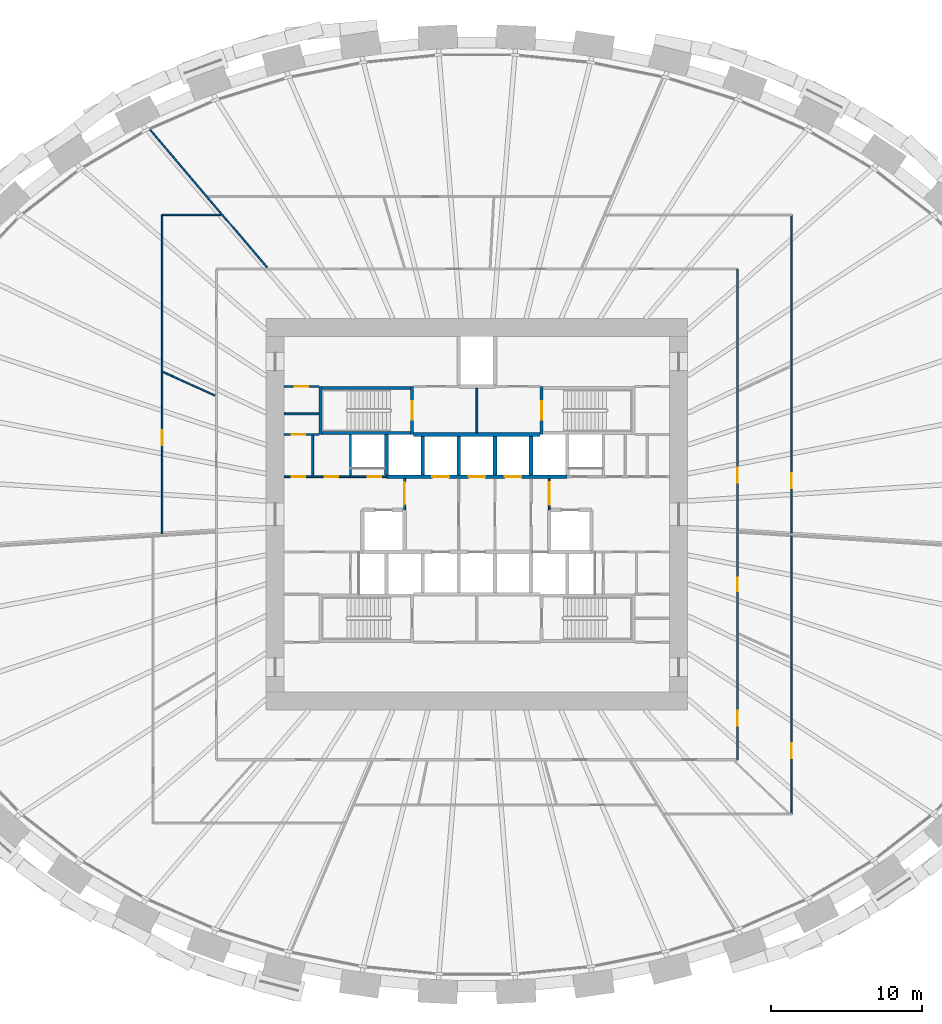
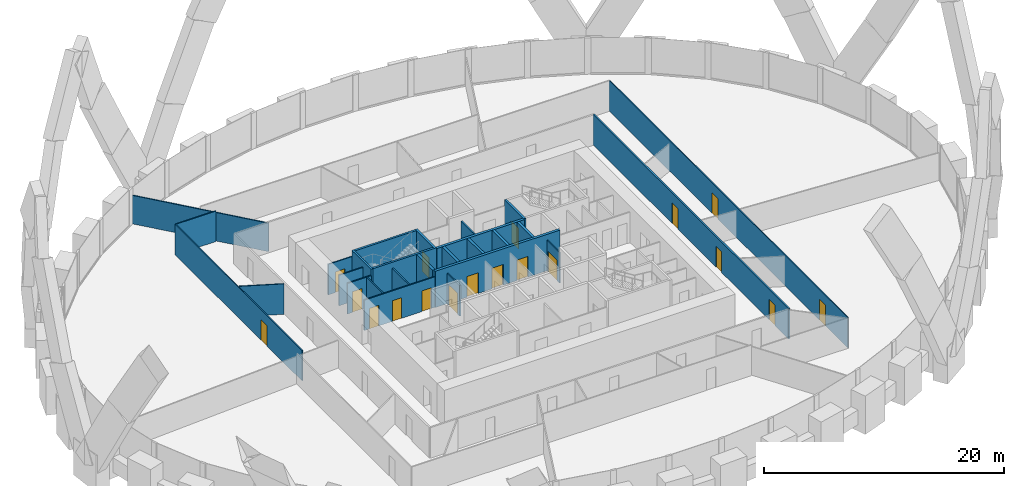
# One storey, part 9 of 12: 27 walls, 18 doors, 18 openings.
"""IFC4 building model written with IfcOpenShell, lengths in metres."""

from ifc_helpers import new_model, si_unit, direction, frame, frame_2d, origin, place, context, subcontext, project, spatial, rectangle, extrude, source, transform, mapped, material, layer, layer_set, type_object, element, fill, save


model = new_model("IFC4")

# Units and contexts
model_context = context("Model", 3, precision=1e-05, world=origin(), true_north=direction((0.0, 1.0)))
body_context = subcontext(model_context, "Body", "Model", "MODEL_VIEW")
ifc_project = project(units=[si_unit("LENGTHUNIT", "METRE"), si_unit("AREAUNIT", "SQUARE_METRE"), si_unit("VOLUMEUNIT", "CUBIC_METRE"), si_unit("PLANEANGLEUNIT", "RADIAN"), si_unit("MASSUNIT", "GRAM", prefix="KILO")], contexts=[model_context])

# Site, building, storey
site_placement = place(None, origin())
site = spatial("IfcSite", under=ifc_project, at=site_placement, CompositionType="ELEMENT")
building_placement = place(site_placement, origin())
building = spatial("IfcBuilding", under=site, at=building_placement, Name="Embergate Tower", CompositionType="ELEMENT")
storey_placement = place(building_placement, frame((0.0, 0.0, 85.39990234375)))
storey = spatial("IfcBuildingStorey", under=building, at=storey_placement, Name="L17", CompositionType="ELEMENT", Elevation=85.39990234375)

# Wall, openings, doors
ifc_material_1 = material(Name="Core partition blockwork 120")
ifc_layer_1 = layer(ifc_material_1, 0.1201171875)
ifc_layer_set_1 = layer_set([ifc_layer_1], Name="Core partition blockwork 120")
wall_type_1 = type_object("IfcWallType", Name="Core partition blockwork 120", PredefinedType="PARTITIONING", material=ifc_layer_set_1)
shared_shape_1 = source(origin(), body_context, "Body", "SweptSolid", [
    extrude(rectangle(XDim=6.800048828125, YDim=0.1201171875, at=frame_2d((3.39990234375, 0.0))), origin(), (0.0, 0.0, 1.0), 3.10009765625),
])
wall_1_placement = place(storey_placement, frame((-12.800048828125, 2.5, 0.0), z_axis=(0.0, 0.0, 1.0), x_axis=(1.0, 0.0, 0.0)))
wall_1 = element("IfcWall", 1, at=wall_1_placement, inside=storey, type_object=wall_type_1, Name="IP-3 wall", PredefinedType="PARTITIONING", context=body_context, shape_type="MappedRepresentation", body=[
    mapped(shared_shape_1, transform((0.0, 0.0, 0.0))),
])
shared_shape_2 = source(origin(), body_context, "Body", "SweptSolid", [
    extrude(rectangle(XDim=0.89990234375, YDim=2.10009765625, at=frame_2d((0.449951171875, 1.050048828125))), frame((0.0, 0.070068359375, 0.0), z_axis=(0.0, -1.0, 0.0), x_axis=(1.0, 0.0, 0.0)), (0.0, 0.0, 1.0), 0.14013671875),
])
opening_1_placement = place(wall_1_placement, frame((5.550048828125, 0.0, 0.0)))
opening_1 = element("IfcOpeningElement", 2, at=opening_1_placement, cuts=wall_1, Name="Opening ID-1", PredefinedType="OPENING", context=body_context, shape_type="MappedRepresentation", body=[
    mapped(shared_shape_2, transform((0.0, 0.0, 0.0))),
])
opening_2_placement = place(wall_1_placement, frame((0.49609375, 0.0, 0.0)))
opening_2 = element("IfcOpeningElement", 3, at=opening_2_placement, cuts=wall_1, Name="Opening ID-1", PredefinedType="OPENING", context=body_context, shape_type="MappedRepresentation", body=[
    mapped(shared_shape_2, transform((0.0, 0.0, 0.0))),
])
opening_3_placement = place(wall_1_placement, frame((2.696044921875, 0.0, 0.0)))
opening_3 = element("IfcOpeningElement", 4, at=opening_3_placement, cuts=wall_1, Name="Opening ID-1", PredefinedType="OPENING", context=body_context, shape_type="MappedRepresentation", body=[
    mapped(shared_shape_2, transform((0.0, 0.0, 0.0))),
])
ifc_material_2 = material(Name="Interior door 900")
door_type_1 = type_object("IfcDoorType", Name="Interior door 900", OperationType="SINGLE_SWING_LEFT", PredefinedType="DOOR", material=ifc_material_2)
shared_shape_3 = source(origin(), body_context, "Body", "SweptSolid", [
    extrude(rectangle(XDim=0.89990234375, YDim=2.10009765625, at=frame_2d((0.449951171875, 1.050048828125))), frame((0.0, 0.02490234375, 0.0), z_axis=(0.0, -1.0, 0.0), x_axis=(1.0, 0.0, 0.0)), (0.0, 0.0, 1.0), 0.050048828125),
])
door_1_placement = place(opening_1_placement, origin())
door_1 = element("IfcDoor", 5, at=door_1_placement, inside=storey, type_object=door_type_1, Name="ID-1 door", OperationType="SINGLE_SWING_LEFT", OverallHeight=2.10009765625, OverallWidth=0.89990234375, PredefinedType="DOOR", context=body_context, shape_type="MappedRepresentation", body=[
    mapped(shared_shape_3, transform((0.0, 0.0, 0.0))),
])
fill(opening_1, door_1)
door_2_placement = place(opening_2_placement, origin())
door_2 = element("IfcDoor", 6, at=door_2_placement, inside=storey, type_object=door_type_1, Name="ID-1 door", OperationType="SINGLE_SWING_RIGHT", OverallHeight=2.10009765625, OverallWidth=0.89990234375, PredefinedType="DOOR", context=body_context, shape_type="MappedRepresentation", body=[
    mapped(shared_shape_3, transform((0.0, 0.0, 0.0))),
])
fill(opening_2, door_2)
door_3_placement = place(opening_3_placement, origin())
door_3 = element("IfcDoor", 7, at=door_3_placement, inside=storey, type_object=door_type_1, Name="ID-1 door", OperationType="SINGLE_SWING_RIGHT", OverallHeight=2.10009765625, OverallWidth=0.89990234375, PredefinedType="DOOR", context=body_context, shape_type="MappedRepresentation", body=[
    mapped(shared_shape_3, transform((0.0, 0.0, 0.0))),
])
fill(opening_3, door_3)

# Wall
shared_shape_4 = source(origin(), body_context, "Body", "SweptSolid", [
    extrude(rectangle(XDim=2.739990234375, YDim=0.1201171875, at=frame_2d((1.3701171875, 0.0))), origin(), (0.0, 0.0, 1.0), 3.10009765625),
])
wall_2_placement = place(storey_placement, frame((-8.39990234375, 5.300048828125, 0.0), z_axis=(0.0, 0.0, 1.0), x_axis=(0.0, -1.0, 0.0)))
element("IfcWall", 8, at=wall_2_placement, inside=storey, type_object=wall_type_1, Name="IP-3 wall", PredefinedType="PARTITIONING", context=body_context, shape_type="MappedRepresentation", body=[
    mapped(shared_shape_4, transform((0.0, 0.0, 0.0))),
])

# Wall, opening, door
shared_shape_5 = source(origin(), body_context, "Body", "SweptSolid", [
    extrude(rectangle(XDim=2.074951171875, YDim=0.1201171875, at=frame_2d((1.03759765625, 0.0))), origin(), (0.0, 0.0, 1.0), 3.10009765625),
])
wall_3_placement = place(storey_placement, frame((-4.800048828125, 2.375, 0.0), z_axis=(0.0, 0.0, 1.0), x_axis=(0.0, -1.0, 0.0)))
wall_3 = element("IfcWall", 9, at=wall_3_placement, inside=storey, type_object=wall_type_1, Name="IP-3 wall", PredefinedType="PARTITIONING", context=body_context, shape_type="MappedRepresentation", body=[
    mapped(shared_shape_5, transform((0.0, 0.0, 0.0))),
])
shared_shape_6 = source(origin(), body_context, "Body", "SweptSolid", [
    extrude(rectangle(XDim=1.5, YDim=2.10009765625, at=frame_2d((0.75, 1.050048828125))), frame((0.0, 0.070068359375, 0.0), z_axis=(0.0, -1.0, 0.0), x_axis=(1.0, 0.0, 0.0)), (0.0, 0.0, 1.0), 0.14013671875),
])
opening_4_placement = place(wall_3_placement, frame((0.22509765625, 0.0, 0.0)))
opening_4 = element("IfcOpeningElement", 10, at=opening_4_placement, cuts=wall_3, Name="Opening IF-3", PredefinedType="OPENING", context=body_context, shape_type="MappedRepresentation", body=[
    mapped(shared_shape_6, transform((0.0, 0.0, 0.0))),
])
ifc_material_3 = material(Name="Lobby fire door pair 1500")
door_type_2 = type_object("IfcDoorType", Name="Lobby fire door pair 1500", OperationType="DOUBLE_DOOR_SINGLE_SWING", PredefinedType="DOOR", material=ifc_material_3)
shared_shape_7 = source(origin(), body_context, "Body", "SweptSolid", [
    extrude(rectangle(XDim=1.5, YDim=2.10009765625, at=frame_2d((0.75, 1.050048828125))), frame((0.0, 0.02490234375, 0.0), z_axis=(0.0, -1.0, 0.0), x_axis=(1.0, 0.0, 0.0)), (0.0, 0.0, 1.0), 0.050048828125),
])
door_4_placement = place(opening_4_placement, origin())
door_4 = element("IfcDoor", 11, at=door_4_placement, inside=storey, type_object=door_type_2, Name="IF-3 door", OperationType="DOUBLE_DOOR_SINGLE_SWING", OverallHeight=2.10009765625, OverallWidth=1.5, PredefinedType="DOOR", context=body_context, shape_type="MappedRepresentation", body=[
    mapped(shared_shape_7, transform((0.0, 0.0, 0.0))),
])
fill(opening_4, door_4)

wall_4_placement = place(storey_placement, frame((4.800048828125, 0.300048828125, 0.0), z_axis=(0.0, 0.0, 1.0), x_axis=(0.0, 1.0, 0.0)))
wall_4 = element("IfcWall", 12, at=wall_4_placement, inside=storey, type_object=wall_type_1, Name="IP-3 wall", PredefinedType="PARTITIONING", context=body_context, shape_type="MappedRepresentation", body=[
    mapped(shared_shape_5, transform((0.0, 0.0, 0.0))),
])
opening_5_placement = place(wall_4_placement, frame((0.35009765625, 0.0, 0.0)))
opening_5 = element("IfcOpeningElement", 13, at=opening_5_placement, cuts=wall_4, Name="Opening IF-3", PredefinedType="OPENING", context=body_context, shape_type="MappedRepresentation", body=[
    mapped(shared_shape_6, transform((0.0, 0.0, 0.0))),
])
door_5_placement = place(opening_5_placement, origin())
door_5 = element("IfcDoor", 14, at=door_5_placement, inside=storey, type_object=door_type_2, Name="IF-3 door", OperationType="DOUBLE_DOOR_SINGLE_SWING", OverallHeight=2.10009765625, OverallWidth=1.5, PredefinedType="DOOR", context=body_context, shape_type="MappedRepresentation", body=[
    mapped(shared_shape_7, transform((0.0, 0.0, 0.0))),
])
fill(opening_5, door_5)

# Wall
shared_shape_8 = source(origin(), body_context, "Body", "SweptSolid", [
    extrude(rectangle(XDim=2.949951171875, YDim=0.1201171875, at=frame_2d((1.47509765625, 0.0))), origin(), (0.0, 0.0, 1.0), 3.10009765625),
])
wall_5_placement = place(storey_placement, frame((0.0, 5.425048828125, 0.0), z_axis=(0.0, 0.0, 1.0), x_axis=(0.0, 1.0, 0.0)))
element("IfcWall", 15, at=wall_5_placement, inside=storey, type_object=wall_type_1, Name="IP-3 wall", PredefinedType="PARTITIONING", context=body_context, shape_type="MappedRepresentation", body=[
    mapped(shared_shape_8, transform((0.0, 0.0, 0.0))),
])

# Wall, opening, door
shared_shape_9 = source(origin(), body_context, "Body", "SweptSolid", [
    extrude(rectangle(XDim=2.300048828125, YDim=0.1201171875, at=frame_2d((1.14990234375, 0.0))), origin(), (0.0, 0.0, 1.0), 3.10009765625),
])
wall_6_placement = place(storey_placement, frame((-12.800048828125, 8.5, 0.0), z_axis=(0.0, 0.0, 1.0), x_axis=(1.0, 0.0, 0.0)))
wall_6 = element("IfcWall", 16, at=wall_6_placement, inside=storey, type_object=wall_type_1, Name="IP-3 wall", PredefinedType="PARTITIONING", context=body_context, shape_type="MappedRepresentation", body=[
    mapped(shared_shape_9, transform((0.0, 0.0, 0.0))),
])
opening_6_placement = place(wall_6_placement, frame((0.699951171875, 0.0, 0.0)))
opening_6 = element("IfcOpeningElement", 17, at=opening_6_placement, cuts=wall_6, Name="Opening ID-1", PredefinedType="OPENING", context=body_context, shape_type="MappedRepresentation", body=[
    mapped(shared_shape_2, transform((0.0, 0.0, 0.0))),
])
door_6_placement = place(opening_6_placement, origin())
door_6 = element("IfcDoor", 18, at=door_6_placement, inside=storey, type_object=door_type_1, Name="ID-1 door", OperationType="SINGLE_SWING_RIGHT", OverallHeight=2.10009765625, OverallWidth=0.89990234375, PredefinedType="DOOR", context=body_context, shape_type="MappedRepresentation", body=[
    mapped(shared_shape_3, transform((0.0, 0.0, 0.0))),
])
fill(opening_6, door_6)

wall_7_placement = place(storey_placement, frame((-10.5, 5.300048828125, 0.0), z_axis=(0.0, 0.0, 1.0), x_axis=(-1.0, 0.0, 0.0)))
wall_7 = element("IfcWall", 19, at=wall_7_placement, inside=storey, type_object=wall_type_1, Name="IP-3 wall", PredefinedType="PARTITIONING", context=body_context, shape_type="MappedRepresentation", body=[
    mapped(shared_shape_9, transform((0.0, 0.0, 0.0))),
])
opening_7_placement = place(wall_7_placement, frame((0.904052734375, 0.0, 0.0)))
opening_7 = element("IfcOpeningElement", 20, at=opening_7_placement, cuts=wall_7, Name="Opening ID-1", PredefinedType="OPENING", context=body_context, shape_type="MappedRepresentation", body=[
    mapped(shared_shape_2, transform((0.0, 0.0, 0.0))),
])
door_7_placement = place(opening_7_placement, origin())
door_7 = element("IfcDoor", 21, at=door_7_placement, inside=storey, type_object=door_type_1, Name="ID-1 door", OperationType="SINGLE_SWING_LEFT", OverallHeight=2.10009765625, OverallWidth=0.89990234375, PredefinedType="DOOR", context=body_context, shape_type="MappedRepresentation", body=[
    mapped(shared_shape_3, transform((0.0, 0.0, 0.0))),
])
fill(opening_7, door_7)

# Walls
wall_8_placement = place(storey_placement, frame((-10.5, 6.676025390625, 0.0), z_axis=(0.0, 0.0, 1.0), x_axis=(-1.0, 0.0, 0.0)))
element("IfcWall", 22, at=wall_8_placement, inside=storey, type_object=wall_type_1, Name="IP-3 wall", PredefinedType="PARTITIONING", context=body_context, shape_type="MappedRepresentation", body=[
    mapped(shared_shape_9, transform((0.0, 0.0, 0.0))),
])
shared_shape_10 = source(origin(), body_context, "Body", "SweptSolid", [
    extrude(rectangle(XDim=2.679931640625, YDim=0.1201171875, at=frame_2d((1.33984375, 0.0))), origin(), (0.0, 0.0, 1.0), 3.10009765625),
])
wall_9_placement = place(storey_placement, frame((-10.907958984375, 2.56005859375, 0.0), z_axis=(0.0, 0.0, 1.0), x_axis=(0.0, 1.0, 0.0)))
element("IfcWall", 23, at=wall_9_placement, inside=storey, type_object=wall_type_1, Name="IP-3 wall", PredefinedType="PARTITIONING", context=body_context, shape_type="MappedRepresentation", body=[
    mapped(shared_shape_10, transform((0.0, 0.0, 0.0))),
])
ifc_material_4 = material(Name="Concrete C50", Category="concrete")
ifc_layer_2 = layer(ifc_material_4, 0.25)
ifc_layer_set_2 = layer_set([ifc_layer_2], Name="Concrete C50")
wall_type_2 = type_object("IfcWallType", Name="Hoistway wall reinforced concrete 250", PredefinedType="SHEAR", material=ifc_layer_set_2)
shared_shape_11 = source(origin(), body_context, "Body", "SweptSolid", [
    extrude(rectangle(XDim=2.675048828125, YDim=0.25, at=frame_2d((1.33740234375, 0.0))), origin(), (0.0, 0.0, 1.0), 3.7001953125),
])
wall_10_placement = place(storey_placement, frame((-6.0, 2.625, 0.0), z_axis=(0.0, 0.0, 1.0), x_axis=(0.0, 1.0, 0.0)))
element("IfcWall", 24, at=wall_10_placement, inside=storey, type_object=wall_type_2, Name="HW-1 wall", PredefinedType="SHEAR", context=body_context, shape_type="MappedRepresentation", body=[
    mapped(shared_shape_11, transform((0.0, 0.0, 0.0))),
])
ifc_layer_3 = layer(ifc_material_4, 0.199951171875)
ifc_layer_set_3 = layer_set([ifc_layer_3], Name="Concrete C50")
wall_type_3 = type_object("IfcWallType", Name="Stair enclosure wall reinforced concrete 250", PredefinedType="SHEAR", material=ifc_layer_set_3)
shared_shape_12 = source(origin(), body_context, "Body", "SweptSolid", [
    extrude(rectangle(XDim=6.300048828125, YDim=0.199951171875, at=frame_2d((3.14990234375, 0.0))), origin(), (0.0, 0.0, 1.0), 3.7001953125),
])
for number, where, z_axis, x_axis, name in (
    (25, (-4.199951171875, 5.39990234375, 0.0), (0.0, 0.0, 1.0), (-1.0, 0.0, 0.0), "SE-1 wall"),
    (26, (-4.199951171875, 8.39990234375, 0.0), (0.0, 0.0, 1.0), (-1.0, 0.0, 0.0), "SE-1 wall"),
):
    element("IfcWall", number, at=place(storey_placement, frame(where, z_axis=z_axis, x_axis=x_axis)), inside=storey, type_object=wall_type_3, Name=name, PredefinedType="SHEAR", context=body_context, shape_type="MappedRepresentation", body=[
        mapped(shared_shape_12, transform((0.0, 0.0, 0.0))),
    ])
shared_shape_13 = source(origin(), body_context, "Body", "SweptSolid", [
    extrude(rectangle(XDim=2.550048828125, YDim=0.25, at=frame_2d((1.27490234375, 0.0))), origin(), (0.0, 0.0, 1.0), 3.7001953125),
])
for number, where, z_axis, x_axis, name in (
    (27, (-3.60009765625, 2.625, 0.0), (0.0, 0.0, 1.0), (0.0, 1.0, 0.0), "HW-1 wall"),
    (28, (-1.199951171875, 2.625, 0.0), (0.0, 0.0, 1.0), (0.0, 1.0, 0.0), "HW-1 wall"),
    (29, (1.199951171875, 2.625, 0.0), (0.0, 0.0, 1.0), (0.0, 1.0, 0.0), "HW-1 wall"),
    (30, (3.60009765625, 2.625, 0.0), (0.0, 0.0, 1.0), (0.0, 1.0, 0.0), "HW-1 wall"),
):
    element("IfcWall", number, at=place(storey_placement, frame(where, z_axis=z_axis, x_axis=x_axis)), inside=storey, type_object=wall_type_2, Name=name, PredefinedType="SHEAR", context=body_context, shape_type="MappedRepresentation", body=[
        mapped(shared_shape_13, transform((0.0, 0.0, 0.0))),
    ])

# Wall, openings, doors
shared_shape_14 = source(origin(), body_context, "Body", "SweptSolid", [
    extrude(rectangle(XDim=12.0, YDim=0.25, at=frame_2d((6.0, 0.0))), origin(), (0.0, 0.0, 1.0), 3.7001953125),
])
wall_11_placement = place(storey_placement, frame((-6.0, 2.5, 0.0), z_axis=(0.0, 0.0, 1.0), x_axis=(1.0, 0.0, 0.0)))
wall_11 = element("IfcWall", 31, at=wall_11_placement, inside=storey, type_object=wall_type_2, Name="HW-1 wall", PredefinedType="SHEAR", context=body_context, shape_type="MappedRepresentation", body=[
    mapped(shared_shape_14, transform((0.0, 0.0, 0.0))),
])
shared_shape_15 = source(origin(), body_context, "Body", "SweptSolid", [
    extrude(rectangle(XDim=1.10009765625, YDim=2.10009765625, at=frame_2d((0.550048828125, 1.050048828125))), frame((0.0, 0.135009765625, 0.0), z_axis=(0.0, -1.0, 0.0), x_axis=(1.0, 0.0, 0.0)), (0.0, 0.0, 1.0), 0.27001953125),
])
opening_8_placement = place(wall_11_placement, frame((3.050048828125, 0.0, 0.0)))
opening_8 = element("IfcOpeningElement", 32, at=opening_8_placement, cuts=wall_11, Name="Opening LD", PredefinedType="OPENING", context=body_context, shape_type="MappedRepresentation", body=[
    mapped(shared_shape_15, transform((0.0, 0.0, 0.0))),
])
opening_9_placement = place(wall_11_placement, frame((5.449951171875, 0.0, 0.0)))
opening_9 = element("IfcOpeningElement", 33, at=opening_9_placement, cuts=wall_11, Name="Opening LD", PredefinedType="OPENING", context=body_context, shape_type="MappedRepresentation", body=[
    mapped(shared_shape_15, transform((0.0, 0.0, 0.0))),
])
opening_10_placement = place(wall_11_placement, frame((7.85009765625, 0.0, 0.0)))
opening_10 = element("IfcOpeningElement", 34, at=opening_10_placement, cuts=wall_11, Name="Opening LD", PredefinedType="OPENING", context=body_context, shape_type="MappedRepresentation", body=[
    mapped(shared_shape_15, transform((0.0, 0.0, 0.0))),
])
ifc_material_5 = material(Name="Landing door sliding 1100")
door_type_3 = type_object("IfcDoorType", Name="Landing door sliding 1100", OperationType="SLIDING_TO_LEFT", PredefinedType="DOOR", material=ifc_material_5)
shared_shape_16 = source(origin(), body_context, "Body", "SweptSolid", [
    extrude(rectangle(XDim=1.10009765625, YDim=2.10009765625, at=frame_2d((0.550048828125, 1.050048828125))), frame((0.0, 0.02490234375, 0.0), z_axis=(0.0, -1.0, 0.0), x_axis=(1.0, 0.0, 0.0)), (0.0, 0.0, 1.0), 0.050048828125),
])
door_8_placement = place(opening_8_placement, origin())
door_8 = element("IfcDoor", 35, at=door_8_placement, inside=storey, type_object=door_type_3, Name="LD door", OperationType="SLIDING_TO_LEFT", OverallHeight=2.10009765625, OverallWidth=1.10009765625, PredefinedType="DOOR", context=body_context, shape_type="MappedRepresentation", body=[
    mapped(shared_shape_16, transform((0.0, 0.0, 0.0))),
])
fill(opening_8, door_8)
door_9_placement = place(opening_9_placement, origin())
door_9 = element("IfcDoor", 36, at=door_9_placement, inside=storey, type_object=door_type_3, Name="LD door", OperationType="SLIDING_TO_LEFT", OverallHeight=2.10009765625, OverallWidth=1.10009765625, PredefinedType="DOOR", context=body_context, shape_type="MappedRepresentation", body=[
    mapped(shared_shape_16, transform((0.0, 0.0, 0.0))),
])
fill(opening_9, door_9)
door_10_placement = place(opening_10_placement, origin())
door_10 = element("IfcDoor", 37, at=door_10_placement, inside=storey, type_object=door_type_3, Name="LD door", OperationType="SLIDING_TO_LEFT", OverallHeight=2.10009765625, OverallWidth=1.10009765625, PredefinedType="DOOR", context=body_context, shape_type="MappedRepresentation", body=[
    mapped(shared_shape_16, transform((0.0, 0.0, 0.0))),
])
fill(opening_10, door_10)

# Wall
shared_shape_17 = source(origin(), body_context, "Body", "SweptSolid", [
    extrude(rectangle(XDim=8.39990234375, YDim=0.25, at=frame_2d((4.199951171875, 0.0))), origin(), (0.0, 0.0, 1.0), 3.7001953125),
])
wall_12_placement = place(storey_placement, frame((4.199951171875, 5.300048828125, 0.0), z_axis=(0.0, 0.0, 1.0), x_axis=(-1.0, 0.0, 0.0)))
element("IfcWall", 38, at=wall_12_placement, inside=storey, type_object=wall_type_2, Name="HW-1 wall", PredefinedType="SHEAR", context=body_context, shape_type="MappedRepresentation", body=[
    mapped(shared_shape_17, transform((0.0, 0.0, 0.0))),
])

# Wall, opening, door
shared_shape_18 = source(origin(), body_context, "Body", "SweptSolid", [
    extrude(rectangle(XDim=3.199951171875, YDim=0.199951171875, at=frame_2d((1.60009765625, 0.0))), origin(), (0.0, 0.0, 1.0), 3.7001953125),
])
wall_13_placement = place(storey_placement, frame((-4.300048828125, 5.300048828125, 0.0), z_axis=(0.0, 0.0, 1.0), x_axis=(0.0, 1.0, 0.0)))
wall_13 = element("IfcWall", 39, at=wall_13_placement, inside=storey, type_object=wall_type_3, Name="SE-1 wall", PredefinedType="SHEAR", context=body_context, shape_type="MappedRepresentation", body=[
    mapped(shared_shape_18, transform((0.0, 0.0, 0.0))),
])
shared_shape_19 = source(origin(), body_context, "Body", "SweptSolid", [
    extrude(rectangle(XDim=1.199951171875, YDim=2.10009765625, at=frame_2d((0.60009765625, 1.050048828125))), frame((0.0, 0.10986328125, 0.0), z_axis=(0.0, -1.0, 0.0), x_axis=(1.0, 0.0, 0.0)), (0.0, 0.0, 1.0), 0.219970703125),
])
opening_11_placement = place(wall_13_placement, frame((1.0, 0.0, 0.0)))
opening_11 = element("IfcOpeningElement", 40, at=opening_11_placement, cuts=wall_13, Name="Opening IF-2", PredefinedType="OPENING", context=body_context, shape_type="MappedRepresentation", body=[
    mapped(shared_shape_19, transform((0.0, 0.0, 0.0))),
])
ifc_material_6 = material(Name="Stair enclosure door 1200")
door_type_4 = type_object("IfcDoorType", Name="Stair enclosure door 1200", OperationType="SINGLE_SWING_LEFT", PredefinedType="DOOR", material=ifc_material_6)
shared_shape_20 = source(origin(), body_context, "Body", "SweptSolid", [
    extrude(rectangle(XDim=1.199951171875, YDim=2.10009765625, at=frame_2d((0.60009765625, 1.050048828125))), frame((0.0, 0.02490234375, 0.0), z_axis=(0.0, -1.0, 0.0), x_axis=(1.0, 0.0, 0.0)), (0.0, 0.0, 1.0), 0.050048828125),
])
door_11_placement = place(opening_11_placement, origin())
door_11 = element("IfcDoor", 41, at=door_11_placement, inside=storey, type_object=door_type_4, Name="IF-2 door", OperationType="SINGLE_SWING_LEFT", OverallHeight=2.10009765625, OverallWidth=1.199951171875, PredefinedType="DOOR", context=body_context, shape_type="MappedRepresentation", body=[
    mapped(shared_shape_20, transform((0.0, 0.0, 0.0))),
])
fill(opening_11, door_11)

# Wall
wall_14_placement = place(storey_placement, frame((-10.39990234375, 8.5, 0.0), z_axis=(0.0, 0.0, 1.0), x_axis=(0.0, -1.0, 0.0)))
element("IfcWall", 42, at=wall_14_placement, inside=storey, type_object=wall_type_3, Name="SE-1 wall", PredefinedType="SHEAR", context=body_context, shape_type="MappedRepresentation", body=[
    mapped(shared_shape_18, transform((0.0, 0.0, 0.0))),
])

# Wall, opening, door
wall_15_placement = place(storey_placement, frame((4.300048828125, 8.5, 0.0), z_axis=(0.0, 0.0, 1.0), x_axis=(0.0, -1.0, 0.0)))
wall_15 = element("IfcWall", 43, at=wall_15_placement, inside=storey, type_object=wall_type_3, Name="SE-1 wall", PredefinedType="SHEAR", context=body_context, shape_type="MappedRepresentation", body=[
    mapped(shared_shape_18, transform((0.0, 0.0, 0.0))),
])
opening_12_placement = place(wall_15_placement, frame((1.0, 0.0, 0.0)))
opening_12 = element("IfcOpeningElement", 44, at=opening_12_placement, cuts=wall_15, Name="Opening IF-2", PredefinedType="OPENING", context=body_context, shape_type="MappedRepresentation", body=[
    mapped(shared_shape_19, transform((0.0, 0.0, 0.0))),
])
door_12_placement = place(opening_12_placement, origin())
door_12 = element("IfcDoor", 45, at=door_12_placement, inside=storey, type_object=door_type_4, Name="IF-2 door", OperationType="SINGLE_SWING_RIGHT", OverallHeight=2.10009765625, OverallWidth=1.199951171875, PredefinedType="DOOR", context=body_context, shape_type="MappedRepresentation", body=[
    mapped(shared_shape_20, transform((0.0, 0.0, 0.0))),
])
fill(opening_12, door_12)

# Wall, openings, doors
ifc_material_7 = material(Name="Corridor wall dry-lined 150")
ifc_layer_4 = layer(ifc_material_7, 0.14990234375)
ifc_layer_set_4 = layer_set([ifc_layer_4], Name="Corridor wall dry-lined 150")
wall_type_4 = type_object("IfcWallType", Name="Corridor wall dry-lined 150", PredefinedType="PARTITIONING", material=ifc_layer_set_4)
shared_shape_21 = source(origin(), body_context, "Body", "SweptSolid", [
    extrude(rectangle(XDim=32.60009765625, YDim=0.14990234375, at=frame_2d((16.300048828125, 0.0))), origin(), (0.0, 0.0, 1.0), 3.10009765625),
])
wall_16_placement = place(storey_placement, frame((17.300048828125, 16.300048828125, 0.0), z_axis=(0.0, 0.0, 1.0), x_axis=(0.0, -1.0, 0.0)))
wall_16 = element("IfcWall", 46, at=wall_16_placement, inside=storey, type_object=wall_type_4, Name="IP-2 wall", PredefinedType="PARTITIONING", context=body_context, shape_type="MappedRepresentation", body=[
    mapped(shared_shape_21, transform((0.0, 0.0, 0.0))),
])
shared_shape_22 = source(origin(), body_context, "Body", "SweptSolid", [
    extrude(rectangle(XDim=1.0, YDim=2.10009765625, at=frame_2d((0.5, 1.050048828125))), frame((0.0, 0.0849609375, 0.0), z_axis=(0.0, -1.0, 0.0), x_axis=(1.0, 0.0, 0.0)), (0.0, 0.0, 1.0), 0.169921875),
])
opening_13_placement = place(wall_16_placement, frame((29.325927734375, 0.0, 0.0)))
opening_13 = element("IfcOpeningElement", 47, at=opening_13_placement, cuts=wall_16, Name="Opening ID-2", PredefinedType="OPENING", context=body_context, shape_type="MappedRepresentation", body=[
    mapped(shared_shape_22, transform((0.0, 0.0, 0.0))),
])
shared_shape_23 = source(origin(), body_context, "Body", "SweptSolid", [
    extrude(rectangle(XDim=0.89990234375, YDim=2.10009765625, at=frame_2d((0.449951171875, 1.050048828125))), frame((0.0, 0.0849609375, 0.0), z_axis=(0.0, -1.0, 0.0), x_axis=(1.0, 0.0, 0.0)), (0.0, 0.0, 1.0), 0.169921875),
])
opening_14_placement = place(wall_16_placement, frame((20.511962890625, 0.0, 0.0)))
opening_14 = element("IfcOpeningElement", 48, at=opening_14_placement, cuts=wall_16, Name="Opening IF-1c", PredefinedType="OPENING", context=body_context, shape_type="MappedRepresentation", body=[
    mapped(shared_shape_23, transform((0.0, 0.0, 0.0))),
])
opening_15_placement = place(wall_16_placement, frame((13.196044921875, 0.0, 0.0)))
opening_15 = element("IfcOpeningElement", 49, at=opening_15_placement, cuts=wall_16, Name="Opening ID-2", PredefinedType="OPENING", context=body_context, shape_type="MappedRepresentation", body=[
    mapped(shared_shape_22, transform((0.0, 0.0, 0.0))),
])
ifc_material_8 = material(Name="Escape fire door 900")
door_type_5 = type_object("IfcDoorType", Name="Escape fire door 900", OperationType="SINGLE_SWING_LEFT", PredefinedType="DOOR", material=ifc_material_8)
door_13_placement = place(opening_14_placement, origin())
door_13 = element("IfcDoor", 50, at=door_13_placement, inside=storey, type_object=door_type_5, Name="IF-1 door", OperationType="SINGLE_SWING_LEFT", OverallHeight=2.10009765625, OverallWidth=0.89990234375, PredefinedType="DOOR", context=body_context, shape_type="MappedRepresentation", body=[
    mapped(shared_shape_3, transform((0.0, 0.0, 0.0))),
])
fill(opening_14, door_13)
ifc_material_9 = material(Name="Interior door 1000")
door_type_6 = type_object("IfcDoorType", Name="Interior door 1000", OperationType="SINGLE_SWING_LEFT", PredefinedType="DOOR", material=ifc_material_9)
shared_shape_24 = source(origin(), body_context, "Body", "SweptSolid", [
    extrude(rectangle(XDim=1.0, YDim=2.10009765625, at=frame_2d((0.5, 1.050048828125))), frame((0.0, 0.02490234375, 0.0), z_axis=(0.0, -1.0, 0.0), x_axis=(1.0, 0.0, 0.0)), (0.0, 0.0, 1.0), 0.050048828125),
])
door_14_placement = place(opening_13_placement, origin())
door_14 = element("IfcDoor", 51, at=door_14_placement, inside=storey, type_object=door_type_6, Name="ID-2 door", OperationType="SINGLE_SWING_LEFT", OverallHeight=2.10009765625, OverallWidth=1.0, PredefinedType="DOOR", context=body_context, shape_type="MappedRepresentation", body=[
    mapped(shared_shape_24, transform((0.0, 0.0, 0.0))),
])
fill(opening_13, door_14)
door_15_placement = place(opening_15_placement, origin())
door_15 = element("IfcDoor", 52, at=door_15_placement, inside=storey, type_object=door_type_6, Name="ID-2 door", OperationType="SINGLE_SWING_RIGHT", OverallHeight=2.10009765625, OverallWidth=1.0, PredefinedType="DOOR", context=body_context, shape_type="MappedRepresentation", body=[
    mapped(shared_shape_24, transform((0.0, 0.0, 0.0))),
])
fill(opening_15, door_15)

ifc_material_10 = material(Name="Partition dry-lined 100")
ifc_layer_5 = layer(ifc_material_10, 0.10009765625)
ifc_layer_set_5 = layer_set([ifc_layer_5], Name="Partition dry-lined 100")
wall_type_5 = type_object("IfcWallType", Name="Partition dry-lined 100", PredefinedType="PARTITIONING", material=ifc_layer_set_5)
shared_shape_25 = source(origin(), body_context, "Body", "SweptSolid", [
    extrude(rectangle(XDim=39.7998046875, YDim=0.10009765625, at=frame_2d((19.89990234375, 0.0))), origin(), (0.0, 0.0, 1.0), 3.10009765625),
])
wall_17_placement = place(storey_placement, frame((20.89990234375, 19.89990234375, 0.0), z_axis=(0.0, 0.0, 1.0), x_axis=(0.0, -1.0, 0.0)))
wall_17 = element("IfcWall", 53, at=wall_17_placement, inside=storey, type_object=wall_type_5, Name="IP-1 wall", PredefinedType="PARTITIONING", context=body_context, shape_type="MappedRepresentation", body=[
    mapped(shared_shape_25, transform((0.0, 0.0, 0.0))),
])
shared_shape_26 = source(origin(), body_context, "Body", "SweptSolid", [
    extrude(rectangle(XDim=1.0, YDim=2.10009765625, at=frame_2d((0.5, 1.050048828125))), frame((0.0, 0.06005859375, 0.0), z_axis=(0.0, -1.0, 0.0), x_axis=(1.0, 0.0, 0.0)), (0.0, 0.0, 1.0), 0.1201171875),
])
opening_16_placement = place(wall_17_placement, frame((35.08203125, 0.0, 0.0)))
opening_16 = element("IfcOpeningElement", 54, at=opening_16_placement, cuts=wall_17, Name="Opening ID-2", PredefinedType="OPENING", context=body_context, shape_type="MappedRepresentation", body=[
    mapped(shared_shape_26, transform((0.0, 0.0, 0.0))),
])
opening_17_placement = place(wall_17_placement, frame((17.157958984375, 0.0, 0.0)))
opening_17 = element("IfcOpeningElement", 55, at=opening_17_placement, cuts=wall_17, Name="Opening ID-2", PredefinedType="OPENING", context=body_context, shape_type="MappedRepresentation", body=[
    mapped(shared_shape_26, transform((0.0, 0.0, 0.0))),
])
door_16_placement = place(opening_16_placement, origin())
door_16 = element("IfcDoor", 56, at=door_16_placement, inside=storey, type_object=door_type_6, Name="ID-2 door", OperationType="SINGLE_SWING_RIGHT", OverallHeight=2.10009765625, OverallWidth=1.0, PredefinedType="DOOR", context=body_context, shape_type="MappedRepresentation", body=[
    mapped(shared_shape_24, transform((0.0, 0.0, 0.0))),
])
fill(opening_16, door_16)
door_17_placement = place(opening_17_placement, origin())
door_17 = element("IfcDoor", 57, at=door_17_placement, inside=storey, type_object=door_type_6, Name="ID-2 door", OperationType="SINGLE_SWING_RIGHT", OverallHeight=2.10009765625, OverallWidth=1.0, PredefinedType="DOOR", context=body_context, shape_type="MappedRepresentation", body=[
    mapped(shared_shape_24, transform((0.0, 0.0, 0.0))),
])
fill(opening_17, door_17)

# Walls
shared_shape_27 = source(origin(), body_context, "Body", "SweptSolid", [
    extrude(rectangle(XDim=3.7705078125, YDim=0.10009765625, at=frame_2d((1.88525390625, 0.0))), origin(), (0.0, 0.0, 1.0), 3.10009765625),
])
wall_18_placement = place(storey_placement, frame((-17.39599609375, 7.89404296875, 0.0), z_axis=(0.0, 0.0, 1.0), x_axis=(-0.910532717194, 0.41343702171, 0.0)))
element("IfcWall", 58, at=wall_18_placement, inside=storey, type_object=wall_type_5, Name="IP-1 wall", PredefinedType="PARTITIONING", context=body_context, shape_type="MappedRepresentation", body=[
    mapped(shared_shape_27, transform((0.0, 0.0, 0.0))),
])
shared_shape_28 = source(origin(), body_context, "Body", "SweptSolid", [
    extrude(rectangle(XDim=3.885009765625, YDim=0.10009765625, at=frame_2d((1.9423828125, 0.0))), origin(), (0.0, 0.0, 1.0), 3.10009765625),
])
wall_19_placement = place(storey_placement, frame((-17.014892578125, 19.89990234375, 0.0), z_axis=(0.0, 0.0, 1.0), x_axis=(-1.0, 0.0, 0.0)))
element("IfcWall", 59, at=wall_19_placement, inside=storey, type_object=wall_type_5, Name="IP-1 wall", PredefinedType="PARTITIONING", context=body_context, shape_type="MappedRepresentation", body=[
    mapped(shared_shape_28, transform((0.0, 0.0, 0.0))),
])

# Wall, opening, door
shared_shape_29 = source(origin(), body_context, "Body", "SweptSolid", [
    extrude(rectangle(XDim=21.19482421875, YDim=0.10009765625, at=frame_2d((10.597412109375, 0.0))), origin(), (0.0, 0.0, 1.0), 3.10009765625),
])
wall_20_placement = place(storey_placement, frame((-20.89990234375, 19.89990234375, 0.0), z_axis=(0.0, 0.0, 1.0), x_axis=(0.0, -1.0, 0.0)))
wall_20 = element("IfcWall", 60, at=wall_20_placement, inside=storey, type_object=wall_type_5, Name="IP-1 wall", PredefinedType="PARTITIONING", context=body_context, shape_type="MappedRepresentation", body=[
    mapped(shared_shape_29, transform((0.0, 0.0, 0.0))),
])
opening_18_placement = place(wall_20_placement, frame((14.31494140625, 0.0, 0.0)))
opening_18 = element("IfcOpeningElement", 61, at=opening_18_placement, cuts=wall_20, Name="Opening ID-2", PredefinedType="OPENING", context=body_context, shape_type="MappedRepresentation", body=[
    mapped(shared_shape_26, transform((0.0, 0.0, 0.0))),
])
door_18_placement = place(opening_18_placement, origin())
door_18 = element("IfcDoor", 62, at=door_18_placement, inside=storey, type_object=door_type_6, Name="ID-2 door", OperationType="SINGLE_SWING_LEFT", OverallHeight=2.10009765625, OverallWidth=1.0, PredefinedType="DOOR", context=body_context, shape_type="MappedRepresentation", body=[
    mapped(shared_shape_24, transform((0.0, 0.0, 0.0))),
])
fill(opening_18, door_18)

# Wall
shared_shape_30 = source(origin(), body_context, "Body", "SweptSolid", [
    extrude(rectangle(XDim=12.072021484375, YDim=0.10009765625, at=frame_2d((6.0361328125, 0.0))), origin(), (0.0, 0.0, 1.0), 2.900146484375),
])
wall_21_placement = place(storey_placement, frame((-21.756103515625, 25.60693359375, 0.0), z_axis=(0.0, 0.0, 1.0), x_axis=(0.647465829362, -0.762094482206, 0.0)))
element("IfcWall", 63, at=wall_21_placement, inside=storey, type_object=wall_type_5, Name="IP-1 wall", PredefinedType="PARTITIONING", context=body_context, shape_type="MappedRepresentation", body=[
    mapped(shared_shape_30, transform((0.0, 0.0, 0.0))),
])

save(model, "model.ifc")
